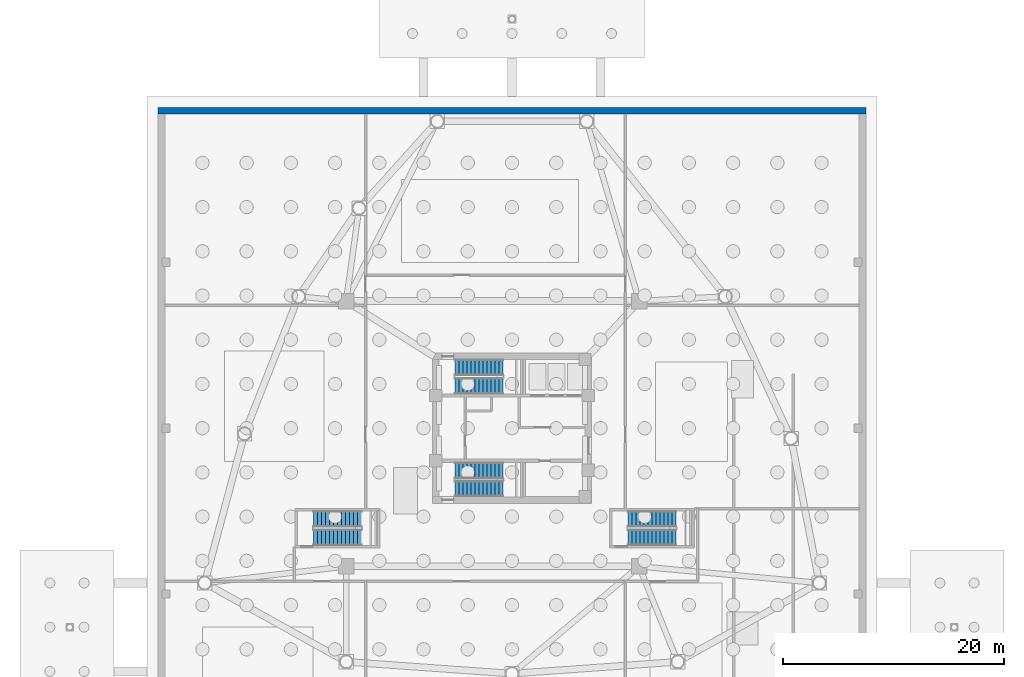
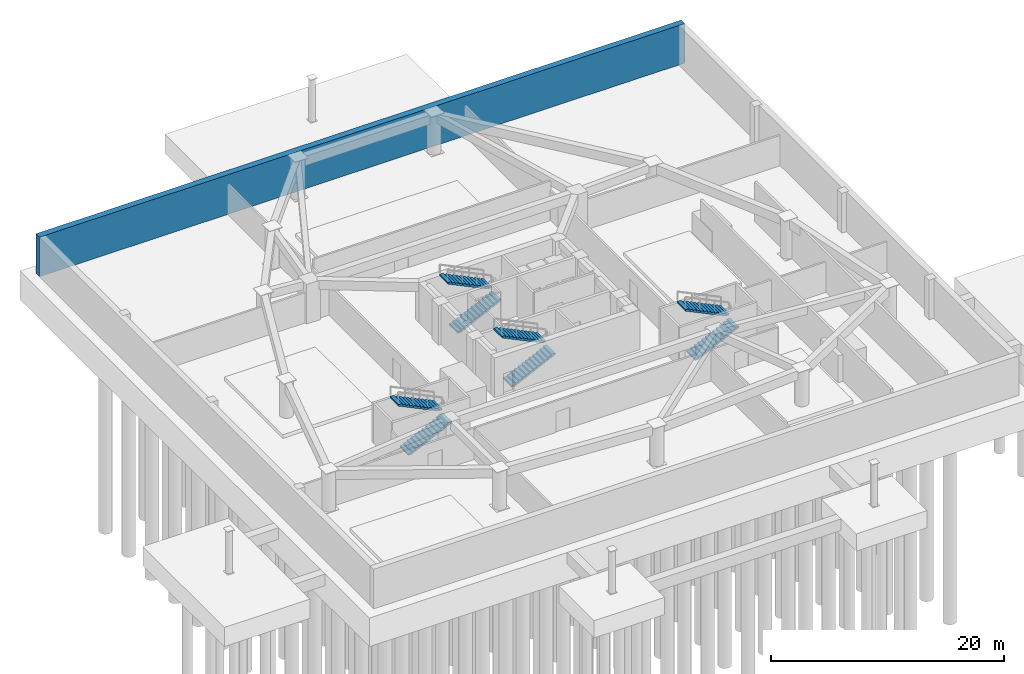
# One storey, part 8 of 11: 8 stair flights, 1 wall, 4 elements without a shape of their own.
"""IFC4 building model written with IfcOpenShell, lengths in metres."""

from ifc_helpers import new_model, si_unit, direction, frame, frame_2d, origin, place, context, subcontext, project, spatial, polyline, rectangle, outline, extrude, material, layer, layer_set, type_object, element, aggregate, save


model = new_model("IFC4")

# Units and contexts
model_context = context("Model", 3, precision=1e-05, world=origin(), true_north=direction((0.0, 1.0)))
body_context = subcontext(model_context, "Body", "Model", "MODEL_VIEW")
ifc_project = project(units=[si_unit("LENGTHUNIT", "METRE"), si_unit("AREAUNIT", "SQUARE_METRE"), si_unit("VOLUMEUNIT", "CUBIC_METRE"), si_unit("PLANEANGLEUNIT", "RADIAN"), si_unit("MASSUNIT", "GRAM", prefix="KILO")], contexts=[model_context])

# Site, building, storey
site_placement = place(None, origin())
site = spatial("IfcSite", under=ifc_project, at=site_placement, CompositionType="ELEMENT")
building_placement = place(site_placement, origin())
building = spatial("IfcBuilding", under=site, at=building_placement, Name="Tavelor Broadcast Tower", CompositionType="ELEMENT")
storey_placement = place(building_placement, frame((0.0, 0.0, -8.699951171875)))
storey = spatial("IfcBuildingStorey", under=building, at=storey_placement, Name="B02", CompositionType="ELEMENT", Elevation=-8.699951171875)

# Wall
ifc_material = material(Name="Concrete C40/50", Category="concrete")
ifc_layer = layer(ifc_material, 0.60009765625)
ifc_layer_set = layer_set([ifc_layer], Name="Concrete C40/50")
wall_type = type_object("IfcWallType", Name="Basement Retaining Wall 600 mm", PredefinedType="USERDEFINED", material=ifc_layer_set)
wall_placement = place(storey_placement, frame((18.0, 73.699951171875, 0.0), z_axis=(0.0, 0.0, 1.0), x_axis=(1.0, 0.0, 0.0)))
element("IfcWall", 1, at=wall_placement, inside=storey, type_object=wall_type, Name="B02 Basement Retaining Wall N 600 mm", ObjectType="RETAINING WALL", PredefinedType="USERDEFINED", context=body_context, shape_type="SweptSolid", body=[
    extrude(rectangle(XDim=64.0, YDim=0.60009765625, at=frame_2d((32.0, 0.0))), origin(), (0.0, 0.0, 1.0), 4.14990234375),
])

# Stair, stair flights
stair_type = type_object("IfcStairType", Name="Reinforced Concrete Protected Dogleg Stair 1450 mm", PredefinedType="HALF_TURN_STAIR", material=ifc_material)
stair_1_placement = place(storey_placement, origin())
stair_1 = element("IfcStair", 2, at=stair_1_placement, inside=storey, type_object=stair_type, Name="B02 Protected Core Exit Stair ST1", PredefinedType="HALF_TURN_STAIR")
stair_flight_type = type_object("IfcStairFlightType", Name="Reinforced Concrete Stair Flight 1450 mm", PredefinedType="STRAIGHT", material=ifc_material)
stair_flight_1_placement = place(storey_placement, frame((44.85009765625, 48.824951171875, 0.0), z_axis=(0.0, 0.0, 1.0), x_axis=(1.0, 0.0, 0.0)))
stair_flight_1 = element("IfcStairFlight", 3, at=stair_flight_1_placement, type_object=stair_flight_type, Name="ST1 flight 1", NumberOfRisers=13, NumberOfTreads=12, PredefinedType="STRAIGHT", RiserHeight=0.173076923, TreadLength=0.36, context=body_context, shape_type="SweptSolid", body=[
    extrude(outline(polyline([(0.0, 0.0), (0.0, 0.173095703125), (0.360107421875, 0.173095703125), (0.360107421875, 0.34619140625), (0.719970703125, 0.34619140625), (0.719970703125, 0.519287109375), (1.080078125, 0.519287109375), (1.080078125, 0.6923828125), (1.43994140625, 0.6923828125), (1.43994140625, 0.865478515625), (1.800048828125, 0.865478515625), (1.800048828125, 1.03857421875), (2.159912109375, 1.03857421875), (2.159912109375, 1.21142578125), (2.52001953125, 1.21142578125), (2.52001953125, 1.384521484375), (2.8798828125, 1.384521484375), (2.8798828125, 1.5576171875), (3.239990234375, 1.5576171875), (3.239990234375, 1.730712890625), (3.60009765625, 1.730712890625), (3.60009765625, 1.90380859375), (3.9599609375, 1.90380859375), (3.9599609375, 2.076904296875), (4.320068359375, 2.076904296875), (4.320068359375, 2.25), (4.320068359375, 1.91064453125), (0.345947265625, 0.0), (0.0, 0.0)])), frame((0.0, 0.72509765625, 0.0), z_axis=(0.0, -1.0, 0.0), x_axis=(1.0, 0.0, 0.0)), (0.0, 0.0, 1.0), 1.449951171875),
])
stair_flight_2_placement = place(storey_placement, frame((49.169921875, 50.47509765625, 2.25), z_axis=(0.0, 0.0, 1.0), x_axis=(-1.0, 0.0, 0.0)))
stair_flight_2 = element("IfcStairFlight", 4, at=stair_flight_2_placement, type_object=stair_flight_type, Name="ST1 flight 2", NumberOfRisers=13, NumberOfTreads=12, PredefinedType="STRAIGHT", RiserHeight=0.173076923, TreadLength=0.36, context=body_context, shape_type="SweptSolid", body=[
    extrude(outline(polyline([(0.0, 0.0), (0.0, 0.173095703125), (0.360107421875, 0.173095703125), (0.360107421875, 0.34619140625), (0.719970703125, 0.34619140625), (0.719970703125, 0.519287109375), (1.080078125, 0.519287109375), (1.080078125, 0.6923828125), (1.43994140625, 0.6923828125), (1.43994140625, 0.865478515625), (1.800048828125, 0.865478515625), (1.800048828125, 1.03857421875), (2.159912109375, 1.03857421875), (2.159912109375, 1.21142578125), (2.52001953125, 1.21142578125), (2.52001953125, 1.384521484375), (2.8798828125, 1.384521484375), (2.8798828125, 1.5576171875), (3.239990234375, 1.5576171875), (3.239990234375, 1.730712890625), (3.60009765625, 1.730712890625), (3.60009765625, 1.90380859375), (3.9599609375, 1.90380859375), (3.9599609375, 2.076904296875), (4.320068359375, 2.076904296875), (4.320068359375, 2.25), (4.320068359375, 1.91064453125), (0.345947265625, 0.0), (0.0, 0.0)])), frame((0.0, 0.72509765625, 0.0), z_axis=(0.0, -1.0, 0.0), x_axis=(1.0, 0.0, 0.0)), (0.0, 0.0, 1.0), 1.449951171875),
])
aggregate(stair_1, [stair_flight_1, stair_flight_2])

stair_2_placement = place(storey_placement, origin())
stair_2 = element("IfcStair", 5, at=stair_2_placement, inside=storey, type_object=stair_type, Name="B02 Protected Core Exit Stair ST2", PredefinedType="HALF_TURN_STAIR")
stair_flight_3_placement = place(storey_placement, frame((44.85009765625, 39.52490234375, 0.0), z_axis=(0.0, 0.0, 1.0), x_axis=(1.0, 0.0, 0.0)))
stair_flight_3 = element("IfcStairFlight", 6, at=stair_flight_3_placement, type_object=stair_flight_type, Name="ST2 flight 1", NumberOfRisers=13, NumberOfTreads=12, PredefinedType="STRAIGHT", RiserHeight=0.173076923, TreadLength=0.36, context=body_context, shape_type="SweptSolid", body=[
    extrude(outline(polyline([(0.0, 0.0), (0.0, 0.173095703125), (0.360107421875, 0.173095703125), (0.360107421875, 0.34619140625), (0.719970703125, 0.34619140625), (0.719970703125, 0.519287109375), (1.080078125, 0.519287109375), (1.080078125, 0.6923828125), (1.43994140625, 0.6923828125), (1.43994140625, 0.865478515625), (1.800048828125, 0.865478515625), (1.800048828125, 1.03857421875), (2.159912109375, 1.03857421875), (2.159912109375, 1.21142578125), (2.52001953125, 1.21142578125), (2.52001953125, 1.384521484375), (2.8798828125, 1.384521484375), (2.8798828125, 1.5576171875), (3.239990234375, 1.5576171875), (3.239990234375, 1.730712890625), (3.60009765625, 1.730712890625), (3.60009765625, 1.90380859375), (3.9599609375, 1.90380859375), (3.9599609375, 2.076904296875), (4.320068359375, 2.076904296875), (4.320068359375, 2.25), (4.320068359375, 1.91064453125), (0.345947265625, 0.0), (0.0, 0.0)])), frame((0.0, 0.72509765625, 0.0), z_axis=(0.0, -1.0, 0.0), x_axis=(1.0, 0.0, 0.0)), (0.0, 0.0, 1.0), 1.449951171875),
])
stair_flight_4_placement = place(storey_placement, frame((49.169921875, 41.175048828125, 2.25), z_axis=(0.0, 0.0, 1.0), x_axis=(-1.0, 0.0, 0.0)))
stair_flight_4 = element("IfcStairFlight", 7, at=stair_flight_4_placement, type_object=stair_flight_type, Name="ST2 flight 2", NumberOfRisers=13, NumberOfTreads=12, PredefinedType="STRAIGHT", RiserHeight=0.173076923, TreadLength=0.36, context=body_context, shape_type="SweptSolid", body=[
    extrude(outline(polyline([(0.0, 0.0), (0.0, 0.173095703125), (0.360107421875, 0.173095703125), (0.360107421875, 0.34619140625), (0.719970703125, 0.34619140625), (0.719970703125, 0.519287109375), (1.080078125, 0.519287109375), (1.080078125, 0.6923828125), (1.43994140625, 0.6923828125), (1.43994140625, 0.865478515625), (1.800048828125, 0.865478515625), (1.800048828125, 1.03857421875), (2.159912109375, 1.03857421875), (2.159912109375, 1.21142578125), (2.52001953125, 1.21142578125), (2.52001953125, 1.384521484375), (2.8798828125, 1.384521484375), (2.8798828125, 1.5576171875), (3.239990234375, 1.5576171875), (3.239990234375, 1.730712890625), (3.60009765625, 1.730712890625), (3.60009765625, 1.90380859375), (3.9599609375, 1.90380859375), (3.9599609375, 2.076904296875), (4.320068359375, 2.076904296875), (4.320068359375, 2.25), (4.320068359375, 1.91064453125), (0.345947265625, 0.0), (0.0, 0.0)])), frame((0.0, 0.72509765625, 0.0), z_axis=(0.0, -1.0, 0.0), x_axis=(1.0, 0.0, 0.0)), (0.0, 0.0, 1.0), 1.449951171875),
])
aggregate(stair_2, [stair_flight_3, stair_flight_4])

stair_3_placement = place(storey_placement, origin())
stair_3 = element("IfcStair", 8, at=stair_3_placement, inside=storey, type_object=stair_type, Name="B02 Podium West Exit Stair ST3", PredefinedType="HALF_TURN_STAIR")
stair_flight_5_placement = place(storey_placement, frame((32.050048828125, 35.125, 0.0), z_axis=(0.0, 0.0, 1.0), x_axis=(1.0, 0.0, 0.0)))
stair_flight_5 = element("IfcStairFlight", 9, at=stair_flight_5_placement, type_object=stair_flight_type, Name="ST3 flight 1", NumberOfRisers=13, NumberOfTreads=12, PredefinedType="STRAIGHT", RiserHeight=0.173076923, TreadLength=0.36, context=body_context, shape_type="SweptSolid", body=[
    extrude(outline(polyline([(0.0, 0.0), (0.0, 0.173095703125), (0.360107421875, 0.173095703125), (0.360107421875, 0.34619140625), (0.719970703125, 0.34619140625), (0.719970703125, 0.519287109375), (1.080078125, 0.519287109375), (1.080078125, 0.6923828125), (1.43994140625, 0.6923828125), (1.43994140625, 0.865478515625), (1.800048828125, 0.865478515625), (1.800048828125, 1.03857421875), (2.159912109375, 1.03857421875), (2.159912109375, 1.21142578125), (2.52001953125, 1.21142578125), (2.52001953125, 1.384521484375), (2.8798828125, 1.384521484375), (2.8798828125, 1.5576171875), (3.239990234375, 1.5576171875), (3.239990234375, 1.730712890625), (3.60009765625, 1.730712890625), (3.60009765625, 1.90380859375), (3.9599609375, 1.90380859375), (3.9599609375, 2.076904296875), (4.320068359375, 2.076904296875), (4.320068359375, 2.25), (4.320068359375, 1.91064453125), (0.345947265625, 0.0), (0.0, 0.0)])), frame((0.0, 0.72509765625, 0.0), z_axis=(0.0, -1.0, 0.0), x_axis=(1.0, 0.0, 0.0)), (0.0, 0.0, 1.0), 1.449951171875),
])
stair_flight_6_placement = place(storey_placement, frame((36.3701171875, 36.77490234375, 2.25), z_axis=(0.0, 0.0, 1.0), x_axis=(-1.0, 0.0, 0.0)))
stair_flight_6 = element("IfcStairFlight", 10, at=stair_flight_6_placement, type_object=stair_flight_type, Name="ST3 flight 2", NumberOfRisers=13, NumberOfTreads=12, PredefinedType="STRAIGHT", RiserHeight=0.173076923, TreadLength=0.36, context=body_context, shape_type="SweptSolid", body=[
    extrude(outline(polyline([(0.0, 0.0), (0.0, 0.173095703125), (0.360107421875, 0.173095703125), (0.360107421875, 0.34619140625), (0.719970703125, 0.34619140625), (0.719970703125, 0.519287109375), (1.080078125, 0.519287109375), (1.080078125, 0.6923828125), (1.43994140625, 0.6923828125), (1.43994140625, 0.865478515625), (1.800048828125, 0.865478515625), (1.800048828125, 1.03857421875), (2.159912109375, 1.03857421875), (2.159912109375, 1.21142578125), (2.52001953125, 1.21142578125), (2.52001953125, 1.384521484375), (2.8798828125, 1.384521484375), (2.8798828125, 1.5576171875), (3.239990234375, 1.5576171875), (3.239990234375, 1.730712890625), (3.60009765625, 1.730712890625), (3.60009765625, 1.90380859375), (3.9599609375, 1.90380859375), (3.9599609375, 2.076904296875), (4.320068359375, 2.076904296875), (4.320068359375, 2.25), (4.320068359375, 1.91064453125), (0.345947265625, 0.0), (0.0, 0.0)])), frame((0.0, 0.72509765625, 0.0), z_axis=(0.0, -1.0, 0.0), x_axis=(1.0, 0.0, 0.0)), (0.0, 0.0, 1.0), 1.449951171875),
])
aggregate(stair_3, [stair_flight_5, stair_flight_6])

stair_4_placement = place(storey_placement, origin())
stair_4 = element("IfcStair", 11, at=stair_4_placement, inside=storey, type_object=stair_type, Name="B02 Podium East Exit Stair ST4", PredefinedType="HALF_TURN_STAIR")
stair_flight_7_placement = place(storey_placement, frame((60.5, 35.125, 0.0), z_axis=(0.0, 0.0, 1.0), x_axis=(1.0, 0.0, 0.0)))
stair_flight_7 = element("IfcStairFlight", 12, at=stair_flight_7_placement, type_object=stair_flight_type, Name="ST4 flight 1", NumberOfRisers=13, NumberOfTreads=12, PredefinedType="STRAIGHT", RiserHeight=0.173076923, TreadLength=0.36, context=body_context, shape_type="SweptSolid", body=[
    extrude(outline(polyline([(0.0, 0.0), (0.0, 0.173095703125), (0.360107421875, 0.173095703125), (0.360107421875, 0.34619140625), (0.719970703125, 0.34619140625), (0.719970703125, 0.519287109375), (1.080078125, 0.519287109375), (1.080078125, 0.6923828125), (1.43994140625, 0.6923828125), (1.43994140625, 0.865478515625), (1.800048828125, 0.865478515625), (1.800048828125, 1.03857421875), (2.159912109375, 1.03857421875), (2.159912109375, 1.21142578125), (2.52001953125, 1.21142578125), (2.52001953125, 1.384521484375), (2.8798828125, 1.384521484375), (2.8798828125, 1.5576171875), (3.239990234375, 1.5576171875), (3.239990234375, 1.730712890625), (3.60009765625, 1.730712890625), (3.60009765625, 1.90380859375), (3.9599609375, 1.90380859375), (3.9599609375, 2.076904296875), (4.320068359375, 2.076904296875), (4.320068359375, 2.25), (4.320068359375, 1.91064453125), (0.345947265625, 0.0), (0.0, 0.0)])), frame((0.0, 0.72509765625, 0.0), z_axis=(0.0, -1.0, 0.0), x_axis=(1.0, 0.0, 0.0)), (0.0, 0.0, 1.0), 1.449951171875),
])
stair_flight_8_placement = place(storey_placement, frame((64.820068359375, 36.77490234375, 2.25), z_axis=(0.0, 0.0, 1.0), x_axis=(-1.0, 0.0, 0.0)))
stair_flight_8 = element("IfcStairFlight", 13, at=stair_flight_8_placement, type_object=stair_flight_type, Name="ST4 flight 2", NumberOfRisers=13, NumberOfTreads=12, PredefinedType="STRAIGHT", RiserHeight=0.173076923, TreadLength=0.36, context=body_context, shape_type="SweptSolid", body=[
    extrude(outline(polyline([(0.0, 0.0), (0.0, 0.173095703125), (0.360107421875, 0.173095703125), (0.360107421875, 0.34619140625), (0.719970703125, 0.34619140625), (0.719970703125, 0.519287109375), (1.080078125, 0.519287109375), (1.080078125, 0.6923828125), (1.43994140625, 0.6923828125), (1.43994140625, 0.865478515625), (1.800048828125, 0.865478515625), (1.800048828125, 1.03857421875), (2.159912109375, 1.03857421875), (2.159912109375, 1.21142578125), (2.52001953125, 1.21142578125), (2.52001953125, 1.384521484375), (2.8798828125, 1.384521484375), (2.8798828125, 1.5576171875), (3.239990234375, 1.5576171875), (3.239990234375, 1.730712890625), (3.60009765625, 1.730712890625), (3.60009765625, 1.90380859375), (3.9599609375, 1.90380859375), (3.9599609375, 2.076904296875), (4.320068359375, 2.076904296875), (4.320068359375, 2.25), (4.320068359375, 1.91064453125), (0.345947265625, 0.0), (0.0, 0.0)])), frame((0.0, 0.72509765625, 0.0), z_axis=(0.0, -1.0, 0.0), x_axis=(1.0, 0.0, 0.0)), (0.0, 0.0, 1.0), 1.449951171875),
])
aggregate(stair_4, [stair_flight_7, stair_flight_8])

save(model, "model.ifc")
